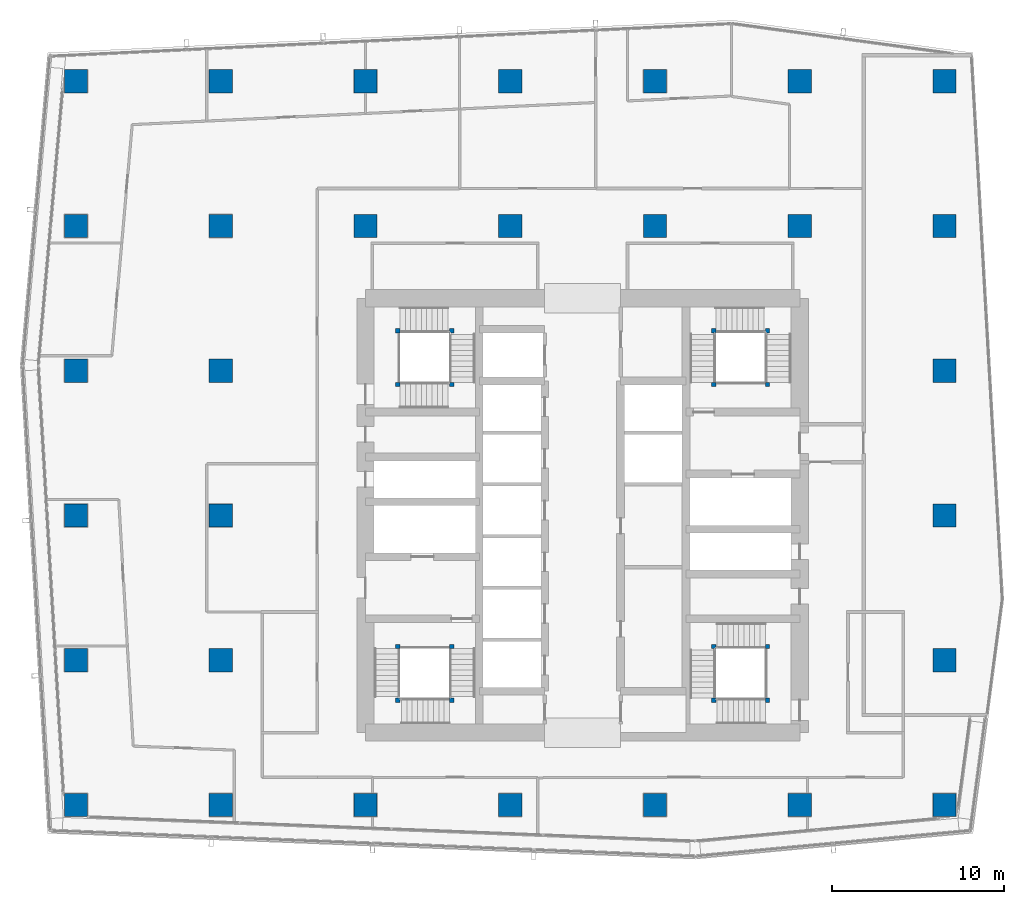
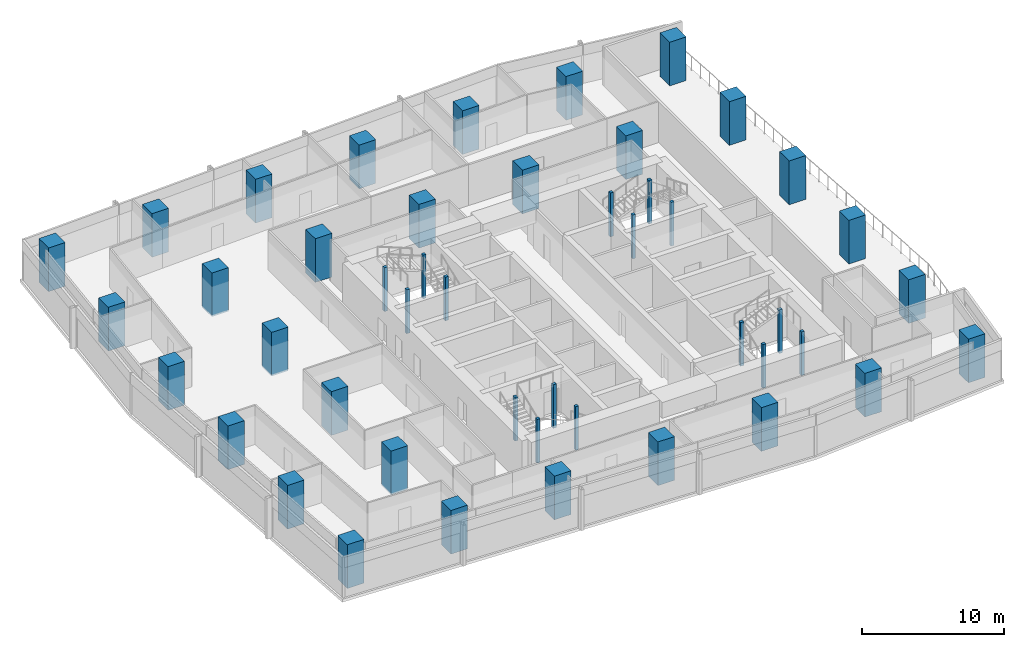
# One storey, part 1 of 33: 46 columns.
"""IFC4 building model written with IfcOpenShell, lengths in metres."""

from ifc_helpers import new_model, si_unit, direction, frame, origin, origin_2d, place, context, subcontext, project, spatial, rectangle, extrude, material, material_profile, profile_set, type_object, element, save


model = new_model("IFC4")

# Units and contexts
model_context = context("Model", 3, precision=1e-05, world=origin(), true_north=direction((0.0, 1.0)))
body_context = subcontext(model_context, "Body", "Model", "MODEL_VIEW")
ifc_project = project(units=[si_unit("LENGTHUNIT", "METRE"), si_unit("AREAUNIT", "SQUARE_METRE"), si_unit("VOLUMEUNIT", "CUBIC_METRE"), si_unit("PLANEANGLEUNIT", "RADIAN"), si_unit("MASSUNIT", "GRAM", prefix="KILO")], contexts=[model_context])

# Site, building, storey
site_placement = place(None, origin())
site = spatial("IfcSite", under=ifc_project, at=site_placement, CompositionType="ELEMENT")
building_placement = place(site_placement, origin())
building = spatial("IfcBuilding", under=site, at=building_placement, Name="Rekha Terrace Tower", CompositionType="ELEMENT")
storey_placement = place(building_placement, frame((0.0, 0.0, 206.449951171875)))
storey = spatial("IfcBuildingStorey", under=building, at=storey_placement, Name="L52", CompositionType="ELEMENT", Elevation=206.449951171875)

# Columns
ifc_material_1 = material(Name="Concrete M70", Category="concrete")
ifc_material_profile_1 = material_profile(ifc_material_1, rectangle(XDim=1.35009765625, YDim=1.35009765625, at=origin_2d()), Name="RC 1350x1350")
ifc_profile_set_1 = profile_set([ifc_material_profile_1], Name="Concrete M70")
column_type_1 = type_object("IfcColumnType", Name="C4 1350x1350 column", PredefinedType="COLUMN", material=ifc_profile_set_1)
for number, where, z_axis, x_axis, name in (
    (1, (8.39990234375, 16.800048828125, 0.0), (0.0, 0.0, 1.0), (1.0, 0.0, 0.0), "Column C4 2/C L52"),
    (2, (8.39990234375, 25.199951171875, 0.0), (0.0, 0.0, 1.0), (1.0, 0.0, 0.0), "Column C4 2/D L52"),
    (3, (8.39990234375, 33.60009765625, 0.0), (0.0, 0.0, 1.0), (1.0, 0.0, 0.0), "Column C4 2/E L52"),
    (4, (8.39990234375, 42.0, 0.0), (0.0, 0.0, 1.0), (1.0, 0.0, 0.0), "Column C4 2/F L52"),
    (5, (8.39990234375, 50.39990234375, 0.0), (0.0, 0.0, 1.0), (1.0, 0.0, 0.0), "Column C4 2/G L52"),
    (6, (8.39990234375, 58.800048828125, 0.0), (0.0, 0.0, 1.0), (1.0, 0.0, 0.0), "Column C4 2/H L52"),
    (7, (16.800048828125, 16.800048828125, 0.0), (0.0, 0.0, 1.0), (1.0, 0.0, 0.0), "Column C4 3/C L52"),
    (8, (16.800048828125, 25.199951171875, 0.0), (0.0, 0.0, 1.0), (1.0, 0.0, 0.0), "Column C4 3/D L52"),
    (9, (16.800048828125, 33.60009765625, 0.0), (0.0, 0.0, 1.0), (1.0, 0.0, 0.0), "Column C4 3/E L52"),
    (10, (16.800048828125, 42.0, 0.0), (0.0, 0.0, 1.0), (1.0, 0.0, 0.0), "Column C4 3/F L52"),
    (11, (16.800048828125, 50.39990234375, 0.0), (0.0, 0.0, 1.0), (1.0, 0.0, 0.0), "Column C4 3/G L52"),
    (12, (16.800048828125, 58.800048828125, 0.0), (0.0, 0.0, 1.0), (1.0, 0.0, 0.0), "Column C4 3/H L52"),
    (13, (25.199951171875, 16.800048828125, 0.0), (0.0, 0.0, 1.0), (1.0, 0.0, 0.0), "Column C4 4/C L52"),
    (14, (25.199951171875, 50.39990234375, 0.0), (0.0, 0.0, 1.0), (1.0, 0.0, 0.0), "Column C4 4/G L52"),
    (15, (25.199951171875, 58.800048828125, 0.0), (0.0, 0.0, 1.0), (1.0, 0.0, 0.0), "Column C4 4/H L52"),
    (16, (33.60009765625, 16.800048828125, 0.0), (0.0, 0.0, 1.0), (1.0, 0.0, 0.0), "Column C4 5/C L52"),
    (17, (33.60009765625, 50.39990234375, 0.0), (0.0, 0.0, 1.0), (1.0, 0.0, 0.0), "Column C4 5/G L52"),
    (18, (33.60009765625, 58.800048828125, 0.0), (0.0, 0.0, 1.0), (1.0, 0.0, 0.0), "Column C4 5/H L52"),
    (19, (42.0, 16.800048828125, 0.0), (0.0, 0.0, 1.0), (1.0, 0.0, 0.0), "Column C4 6/C L52"),
    (20, (42.0, 50.39990234375, 0.0), (0.0, 0.0, 1.0), (1.0, 0.0, 0.0), "Column C4 6/G L52"),
    (21, (42.0, 58.800048828125, 0.0), (0.0, 0.0, 1.0), (1.0, 0.0, 0.0), "Column C4 6/H L52"),
    (22, (50.39990234375, 16.800048828125, 0.0), (0.0, 0.0, 1.0), (1.0, 0.0, 0.0), "Column C4 7/C L52"),
    (23, (50.39990234375, 50.39990234375, 0.0), (0.0, 0.0, 1.0), (1.0, 0.0, 0.0), "Column C4 7/G L52"),
    (24, (50.39990234375, 58.800048828125, 0.0), (0.0, 0.0, 1.0), (1.0, 0.0, 0.0), "Column C4 7/H L52"),
    (25, (58.800048828125, 16.800048828125, 0.0), (0.0, 0.0, 1.0), (1.0, 0.0, 0.0), "Column C4 8/C L52"),
    (26, (58.800048828125, 25.199951171875, 0.0), (0.0, 0.0, 1.0), (1.0, 0.0, 0.0), "Column C4 8/D L52"),
    (27, (58.800048828125, 33.60009765625, 0.0), (0.0, 0.0, 1.0), (1.0, 0.0, 0.0), "Column C4 8/E L52"),
    (28, (58.800048828125, 42.0, 0.0), (0.0, 0.0, 1.0), (1.0, 0.0, 0.0), "Column C4 8/F L52"),
    (29, (58.800048828125, 50.39990234375, 0.0), (0.0, 0.0, 1.0), (1.0, 0.0, 0.0), "Column C4 8/G L52"),
    (30, (58.800048828125, 58.800048828125, 0.0), (0.0, 0.0, 1.0), (1.0, 0.0, 0.0), "Column C4 8/H L52"),
):
    element("IfcColumn", number, at=place(storey_placement, frame(where, z_axis=z_axis, x_axis=x_axis)), inside=storey, type_object=column_type_1, Name=name, PredefinedType="COLUMN", context=body_context, shape_type="SweptSolid", body=[
        extrude(rectangle(XDim=1.35009765625, YDim=1.35009765625, at=origin_2d()), origin(), (0.0, 0.0, 1.0), 3.75),
    ])
ifc_material_2 = material(Name="Concrete M60", Category="concrete")
ifc_material_profile_2 = material_profile(ifc_material_2, rectangle(XDim=0.25, YDim=0.25, at=origin_2d()), Name="RC 250x250")
ifc_profile_set_2 = profile_set([ifc_material_profile_2], Name="Concrete M60")
column_type_2 = type_object("IfcColumnType", Name="NP1 250x250 stair newel post", PredefinedType="COLUMN", material=ifc_profile_set_2)
for number, where, z_axis, x_axis, name in (
    (31, (30.199951171875, 26.0, 0.0), (0.0, 0.0, 1.0), (1.0, 0.0, 0.0), "Stair newel post NP1"),
    (32, (30.199951171875, 22.875, 0.0), (0.0, 0.0, 1.0), (1.0, 0.0, 0.0), "Stair newel post NP1"),
    (33, (27.074951171875, 22.875, 0.0), (0.0, 0.0, 1.0), (1.0, 0.0, 0.0), "Stair newel post NP1"),
    (34, (27.074951171875, 26.0, 0.0), (0.0, 0.0, 1.0), (1.0, 0.0, 0.0), "Stair newel post NP1"),
    (35, (45.39990234375, 41.199951171875, 0.0), (0.0, 0.0, 1.0), (1.0, 0.0, 0.0), "Stair newel post NP1"),
    (36, (45.39990234375, 44.324951171875, 0.0), (0.0, 0.0, 1.0), (1.0, 0.0, 0.0), "Stair newel post NP1"),
    (37, (48.52490234375, 44.324951171875, 0.0), (0.0, 0.0, 1.0), (1.0, 0.0, 0.0), "Stair newel post NP1"),
    (38, (48.52490234375, 41.199951171875, 0.0), (0.0, 0.0, 1.0), (1.0, 0.0, 0.0), "Stair newel post NP1"),
    (39, (48.52490234375, 22.875, 0.0), (0.0, 0.0, 1.0), (1.0, 0.0, 0.0), "Stair newel post NP1"),
    (40, (45.39990234375, 22.875, 0.0), (0.0, 0.0, 1.0), (1.0, 0.0, 0.0), "Stair newel post NP1"),
    (41, (45.39990234375, 26.0, 0.0), (0.0, 0.0, 1.0), (1.0, 0.0, 0.0), "Stair newel post NP1"),
    (42, (48.52490234375, 26.0, 0.0), (0.0, 0.0, 1.0), (1.0, 0.0, 0.0), "Stair newel post NP1"),
    (43, (27.074951171875, 41.199951171875, 0.0), (0.0, 0.0, 1.0), (1.0, 0.0, 0.0), "Stair newel post NP1"),
    (44, (30.199951171875, 41.199951171875, 0.0), (0.0, 0.0, 1.0), (1.0, 0.0, 0.0), "Stair newel post NP1"),
    (45, (30.199951171875, 44.324951171875, 0.0), (0.0, 0.0, 1.0), (1.0, 0.0, 0.0), "Stair newel post NP1"),
    (46, (27.074951171875, 44.324951171875, 0.0), (0.0, 0.0, 1.0), (1.0, 0.0, 0.0), "Stair newel post NP1"),
):
    element("IfcColumn", number, at=place(storey_placement, frame(where, z_axis=z_axis, x_axis=x_axis)), inside=storey, type_object=column_type_2, Name=name, PredefinedType="COLUMN", context=body_context, shape_type="SweptSolid", body=[
        extrude(rectangle(XDim=0.25, YDim=0.25, at=origin_2d()), origin(), (0.0, 0.0, 1.0), 3.75),
    ])

save(model, "model.ifc")
